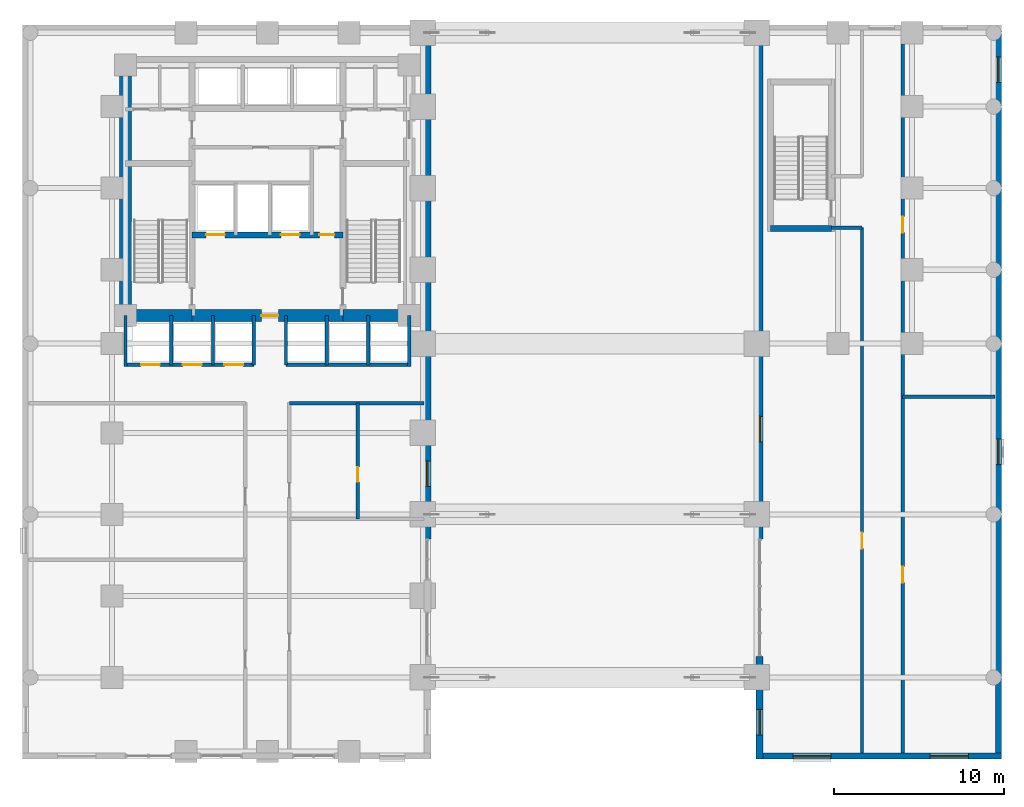
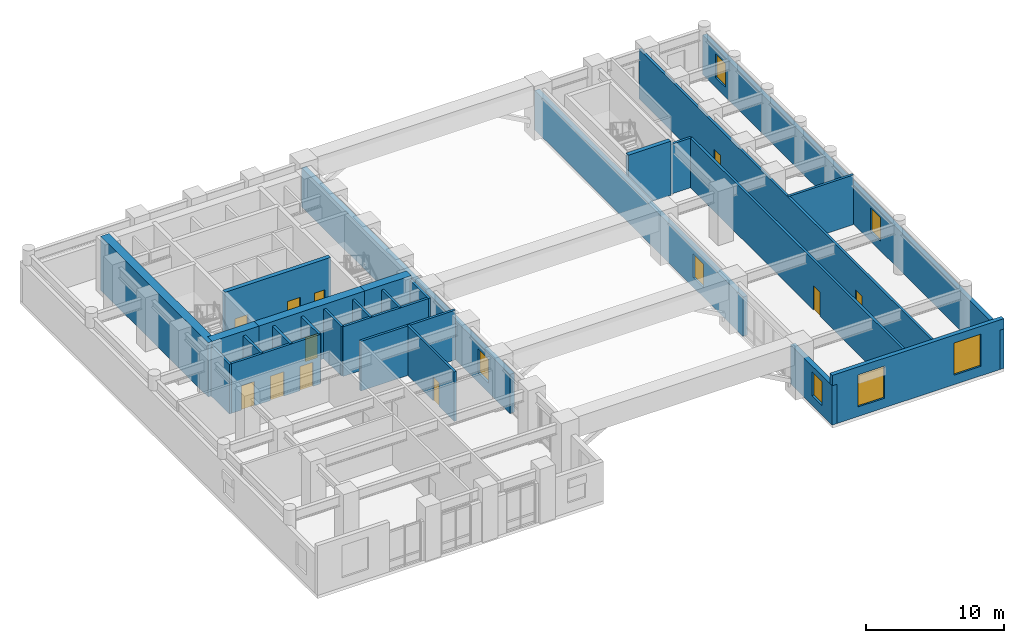
# One storey, part 7 of 12: 27 walls, 11 doors, 7 windows, 18 openings.
"""IFC4 building model written with IfcOpenShell, lengths in metres."""

from ifc_helpers import new_model, si_unit, direction, frame, frame_2d, origin, place, context, subcontext, project, spatial, rectangle, extrude, material, layer, layer_set, type_object, element, fill, save


model = new_model("IFC4")

# Units and contexts
model_context = context("Model", 3, precision=1e-05, world=origin(), true_north=direction((0.0, 1.0)))
body_context = subcontext(model_context, "Body", "Model", "MODEL_VIEW")
ifc_project = project(units=[si_unit("LENGTHUNIT", "METRE"), si_unit("AREAUNIT", "SQUARE_METRE"), si_unit("VOLUMEUNIT", "CUBIC_METRE"), si_unit("PLANEANGLEUNIT", "RADIAN"), si_unit("MASSUNIT", "GRAM", prefix="KILO")], contexts=[model_context])

# Site, building, storey
site_placement = place(None, origin())
site = spatial("IfcSite", under=ifc_project, at=site_placement, CompositionType="ELEMENT")
building_placement = place(site_placement, origin())
building = spatial("IfcBuilding", under=site, at=building_placement, Name="Orvandelia Arch Residences", CompositionType="ELEMENT")
storey_placement = place(building_placement, frame((0.0, 0.0, 10.0)))
storey = spatial("IfcBuildingStorey", under=building, at=storey_placement, Name="L02", CompositionType="ELEMENT", Elevation=10.0)

# Wall, opening, window
ifc_material_1 = material(Name="Precast concrete C40/50", Category="concrete")
ifc_layer_1 = layer(ifc_material_1, 0.39990234375, Name="Precast concrete C40/50", Category="concrete")
ifc_layer_set_1 = layer_set([ifc_layer_1], Name="Precast concrete C40/50")
wall_type_1 = type_object("IfcWallType", Name="WL-ARCH-CHEEK-400", PredefinedType="SOLIDWALL", material=ifc_layer_set_1)
wall_1_placement = place(storey_placement, frame((23.824951171875, 48.0, 0.0), z_axis=(0.0, 0.0, 1.0), x_axis=(0.0, -1.0, 0.0)))
wall_1 = element("IfcWall", 1, at=wall_1_placement, inside=storey, type_object=wall_type_1, Name="Giant Arch Pier Cheek Wall L02-002", PredefinedType="SOLIDWALL", context=body_context, shape_type="SweptSolid", body=[
    extrude(rectangle(XDim=30.239990234375, YDim=0.39990234375, at=frame_2d((15.1201171875, 0.0))), origin(), (0.0, 0.0, 1.0), 3.47998046875),
])
opening_1_placement = place(wall_1_placement, frame((25.64990234375, 0.0, 0.85009765625)))
opening_1 = element("IfcOpeningElement", 2, at=opening_1_placement, cuts=wall_1, Name="Opening W2", PredefinedType="OPENING", context=body_context, shape_type="SweptSolid", body=[
    extrude(rectangle(XDim=1.5, YDim=2.10009765625, at=frame_2d((0.75, 1.050048828125))), frame((0.0, 0.2099609375, 0.0), z_axis=(0.0, -1.0, 0.0), x_axis=(1.0, 0.0, 0.0)), (0.0, 0.0, 1.0), 0.419921875),
])
ifc_material_2 = material(Name="Tempered Low-E Insulated Glazing", Category="glass")
window_type_1 = type_object("IfcWindowType", Name="WIN-RES-1500x2100", PartitioningType="SINGLE_PANEL", PredefinedType="WINDOW", material=ifc_material_2)
window_1_placement = place(opening_1_placement, origin())
window_1 = element("IfcWindow", 3, at=window_1_placement, inside=storey, type_object=window_type_1, Name="Recessed Punched Window L02-001", OverallHeight=2.10009765625, OverallWidth=1.5, PartitioningType="SINGLE_PANEL", PredefinedType="WINDOW", context=body_context, shape_type="SweptSolid", body=[
    extrude(rectangle(XDim=1.5, YDim=2.10009765625, at=frame_2d((0.75, 1.050048828125))), frame((0.0, 0.030029296875, 0.0), z_axis=(0.0, -1.0, 0.0), x_axis=(1.0, 0.0, 0.0)), (0.0, 0.0, 1.0), 0.06005859375),
])
fill(opening_1, window_1)

wall_2_placement = place(storey_placement, frame((43.375, 4.800048828125, 0.0), z_axis=(0.0, 0.0, 1.0), x_axis=(0.0, 1.0, 0.0)))
wall_2 = element("IfcWall", 4, at=wall_2_placement, inside=storey, type_object=wall_type_1, Name="Giant Arch Pier Cheek Wall L02-013", PredefinedType="SOLIDWALL", context=body_context, shape_type="SweptSolid", body=[
    extrude(rectangle(XDim=6.0400390625, YDim=0.39990234375, at=frame_2d((3.02001953125, 0.0))), origin(), (0.0, 0.0, 1.0), 3.47998046875),
])
opening_2_placement = place(wall_2_placement, frame((1.425048828125, 0.0, 0.85009765625)))
opening_2 = element("IfcOpeningElement", 5, at=opening_2_placement, cuts=wall_2, Name="Opening W2", PredefinedType="OPENING", context=body_context, shape_type="SweptSolid", body=[
    extrude(rectangle(XDim=1.5, YDim=2.10009765625, at=frame_2d((0.75, 1.050048828125))), frame((0.0, 0.2099609375, 0.0), z_axis=(0.0, -1.0, 0.0), x_axis=(1.0, 0.0, 0.0)), (0.0, 0.0, 1.0), 0.419921875),
])
window_2_placement = place(opening_2_placement, origin())
window_2 = element("IfcWindow", 6, at=window_2_placement, inside=storey, type_object=window_type_1, Name="Recessed Punched Window L02-013", OverallHeight=2.10009765625, OverallWidth=1.5, PartitioningType="SINGLE_PANEL", PredefinedType="WINDOW", context=body_context, shape_type="SweptSolid", body=[
    extrude(rectangle(XDim=1.5, YDim=2.10009765625, at=frame_2d((0.75, 1.050048828125))), frame((0.0, 0.030029296875, 0.0), z_axis=(0.0, -1.0, 0.0), x_axis=(1.0, 0.0, 0.0)), (0.0, 0.0, 1.0), 0.06005859375),
])
fill(opening_2, window_2)

wall_3_placement = place(storey_placement, frame((43.375, 17.760009765625, 0.0), z_axis=(0.0, 0.0, 1.0), x_axis=(0.0, 1.0, 0.0)))
wall_3 = element("IfcWall", 7, at=wall_3_placement, inside=storey, type_object=wall_type_1, Name="Giant Arch Pier Cheek Wall L02-014", PredefinedType="SOLIDWALL", context=body_context, shape_type="SweptSolid", body=[
    extrude(rectangle(XDim=30.239990234375, YDim=0.39990234375, at=frame_2d((15.1201171875, 0.0))), origin(), (0.0, 0.0, 1.0), 3.47998046875),
])
opening_3_placement = place(wall_3_placement, frame((5.715087890625, 0.0, 0.85009765625)))
opening_3 = element("IfcOpeningElement", 8, at=opening_3_placement, cuts=wall_3, Name="Opening W2", PredefinedType="OPENING", context=body_context, shape_type="SweptSolid", body=[
    extrude(rectangle(XDim=1.5, YDim=2.10009765625, at=frame_2d((0.75, 1.050048828125))), frame((0.0, 0.2099609375, 0.0), z_axis=(0.0, -1.0, 0.0), x_axis=(1.0, 0.0, 0.0)), (0.0, 0.0, 1.0), 0.419921875),
])
window_3_placement = place(opening_3_placement, origin())
window_3 = element("IfcWindow", 9, at=window_3_placement, inside=storey, type_object=window_type_1, Name="Recessed Punched Window L02-014", OverallHeight=2.10009765625, OverallWidth=1.5, PartitioningType="SINGLE_PANEL", PredefinedType="WINDOW", context=body_context, shape_type="SweptSolid", body=[
    extrude(rectangle(XDim=1.5, YDim=2.10009765625, at=frame_2d((0.75, 1.050048828125))), frame((0.0, 0.030029296875, 0.0), z_axis=(0.0, -1.0, 0.0), x_axis=(1.0, 0.0, 0.0)), (0.0, 0.0, 1.0), 0.06005859375),
])
fill(opening_3, window_3)

# Wall, openings, doors
ifc_material_3 = material(Name="Concrete C50/60", Category="concrete")
ifc_layer_2 = layer(ifc_material_3, 0.35009765625, Name="Concrete C50/60", Category="concrete")
ifc_layer_set_2 = layer_set([ifc_layer_2], Name="Concrete C50/60")
wall_type_2 = type_object("IfcWallType", Name="WL-CORE-350", PredefinedType="SHEAR", material=ifc_layer_set_2)
wall_4_placement = place(storey_placement, frame((9.9599609375, 35.64990234375, 0.0), z_axis=(0.0, 0.0, 1.0), x_axis=(1.0, 0.0, 0.0)))
wall_4 = element("IfcWall", 10, at=wall_4_placement, inside=storey, type_object=wall_type_2, Name="Core Shear Wall L02-HZ3", PredefinedType="SHEAR", context=body_context, shape_type="SweptSolid", body=[
    extrude(rectangle(XDim=8.880126953125, YDim=0.35009765625, at=frame_2d((4.43994140625, 0.0))), origin(), (0.0, 0.0, 1.0), 4.800048828125),
])
opening_4_placement = place(wall_4_placement, frame((0.840087890625, 0.0, 0.0)))
opening_4 = element("IfcOpeningElement", 11, at=opening_4_placement, cuts=wall_4, Name="Opening FLD", PredefinedType="OPENING", context=body_context, shape_type="SweptSolid", body=[
    extrude(rectangle(XDim=1.10009765625, YDim=2.14990234375, at=frame_2d((0.550048828125, 1.074951171875))), frame((0.0, 0.18505859375, 0.0), z_axis=(0.0, -1.0, 0.0), x_axis=(1.0, 0.0, 0.0)), (0.0, 0.0, 1.0), 0.3701171875),
])
opening_5_placement = place(wall_4_placement, frame((5.239990234375, 0.0, 0.0)))
opening_5 = element("IfcOpeningElement", 12, at=opening_5_placement, cuts=wall_4, Name="Opening FLD", PredefinedType="OPENING", context=body_context, shape_type="SweptSolid", body=[
    extrude(rectangle(XDim=1.10009765625, YDim=2.14990234375, at=frame_2d((0.550048828125, 1.074951171875))), frame((0.0, 0.18505859375, 0.0), z_axis=(0.0, -1.0, 0.0), x_axis=(1.0, 0.0, 0.0)), (0.0, 0.0, 1.0), 0.3701171875),
])
opening_6_placement = place(wall_4_placement, frame((7.5, 0.0, 0.0)))
opening_6 = element("IfcOpeningElement", 13, at=opening_6_placement, cuts=wall_4, Name="Opening D5", PredefinedType="OPENING", context=body_context, shape_type="SweptSolid", body=[
    extrude(rectangle(XDim=0.8798828125, YDim=2.10009765625, at=frame_2d((0.43994140625, 1.050048828125))), frame((0.0, 0.18505859375, 0.0), z_axis=(0.0, -1.0, 0.0), x_axis=(1.0, 0.0, 0.0)), (0.0, 0.0, 1.0), 0.3701171875),
])
ifc_material_4 = material(Name="Firefighting Lift Stainless Sliding Door")
door_type_1 = type_object("IfcDoorType", Name="DR-FLFT-1100", OperationType="NOTDEFINED", PredefinedType="DOOR", material=ifc_material_4)
door_1_placement = place(opening_4_placement, origin())
door_1 = element("IfcDoor", 14, at=door_1_placement, inside=storey, type_object=door_type_1, Name="Firefighting Lift Landing Door FLD-FL1-L02", OperationType="SLIDING_TO_LEFT", OverallHeight=2.14990234375, OverallWidth=1.10009765625, PredefinedType="DOOR", context=body_context, shape_type="SweptSolid", body=[
    extrude(rectangle(XDim=1.10009765625, YDim=2.14990234375, at=frame_2d((0.550048828125, 1.074951171875))), frame((0.0, 0.02490234375, 0.0), z_axis=(0.0, -1.0, 0.0), x_axis=(1.0, 0.0, 0.0)), (0.0, 0.0, 1.0), 0.050048828125),
])
fill(opening_4, door_1)
door_2_placement = place(opening_5_placement, origin())
door_2 = element("IfcDoor", 15, at=door_2_placement, inside=storey, type_object=door_type_1, Name="Firefighting Lift Landing Door FLD-FL2-L02", OperationType="SLIDING_TO_RIGHT", OverallHeight=2.14990234375, OverallWidth=1.10009765625, PredefinedType="DOOR", context=body_context, shape_type="SweptSolid", body=[
    extrude(rectangle(XDim=1.10009765625, YDim=2.14990234375, at=frame_2d((0.550048828125, 1.074951171875))), frame((0.0, 0.02490234375, 0.0), z_axis=(0.0, -1.0, 0.0), x_axis=(1.0, 0.0, 0.0)), (0.0, 0.0, 1.0), 0.050048828125),
])
fill(opening_5, door_2)
ifc_material_5 = material(Name="Painted Galvanised Steel Service Door", Category="steel")
door_type_2 = type_object("IfcDoorType", Name="DR-SRV-880", OperationType="NOTDEFINED", PredefinedType="DOOR", material=ifc_material_5)
door_3_placement = place(opening_6_placement, origin())
door_3 = element("IfcDoor", 16, at=door_3_placement, inside=storey, type_object=door_type_2, Name="Core Stairway Passage South Fire Door L02", OperationType="SINGLE_SWING_LEFT", OverallHeight=2.10009765625, OverallWidth=0.8798828125, PredefinedType="DOOR", context=body_context, shape_type="SweptSolid", body=[
    extrude(rectangle(XDim=0.8798828125, YDim=2.10009765625, at=frame_2d((0.43994140625, 1.050048828125))), frame((0.0, 0.02490234375, 0.0), z_axis=(0.0, -1.0, 0.0), x_axis=(1.0, 0.0, 0.0)), (0.0, 0.0, 1.0), 0.050048828125),
])
fill(opening_6, door_3)

# Walls
wall_5_placement = place(storey_placement, frame((44.02001953125, 36.0400390625, 0.0), z_axis=(0.0, 0.0, 1.0), x_axis=(1.0, 0.0, 0.0)))
element("IfcWall", 17, at=wall_5_placement, inside=storey, type_object=wall_type_2, Name="East Stair Core Shear Wall L02-S", PredefinedType="SHEAR", context=body_context, shape_type="SweptSolid", body=[
    extrude(rectangle(XDim=3.580078125, YDim=0.35009765625, at=frame_2d((1.7900390625, 0.0))), origin(), (0.0, 0.0, 1.0), 4.800048828125),
])
ifc_material_6 = material(Name="Concrete C80/95", Category="concrete")
ifc_layer_3 = layer(ifc_material_6, 0.699951171875, Name="Concrete C80/95", Category="concrete")
ifc_layer_set_3 = layer_set([ifc_layer_3], Name="Concrete C80/95")
wall_type_3 = type_object("IfcWallType", Name="WL-CORE-700", PredefinedType="SHEAR", material=ifc_layer_set_3)
wall_6_placement = place(storey_placement, frame((6.050048828125, 30.550048828125, 0.0), z_axis=(0.0, 0.0, 1.0), x_axis=(0.0, 1.0, 0.0)))
element("IfcWall", 18, at=wall_6_placement, inside=storey, type_object=wall_type_3, Name="Core Shear Wall L02-W", PredefinedType="SHEAR", context=body_context, shape_type="SweptSolid", body=[
    extrude(rectangle(XDim=15.599853515625, YDim=0.699951171875, at=frame_2d((7.7998046875, 0.0))), origin(), (0.0, 0.0, 1.0), 4.800048828125),
])
wall_7_placement = place(storey_placement, frame((6.050048828125, 30.89990234375, 0.0), z_axis=(0.0, 0.0, 1.0), x_axis=(1.0, 0.0, 0.0)))
element("IfcWall", 19, at=wall_7_placement, inside=storey, type_object=wall_type_3, Name="Core Shear Wall L02-SW", PredefinedType="SHEAR", context=body_context, shape_type="SweptSolid", body=[
    extrude(rectangle(XDim=3.909912109375, YDim=0.699951171875, at=frame_2d((1.955078125, 0.0))), origin(), (0.0, 0.0, 1.0), 4.800048828125),
])

# Wall, opening, door
wall_8_placement = place(storey_placement, frame((9.9599609375, 30.89990234375, 0.0), z_axis=(0.0, 0.0, 1.0), x_axis=(1.0, 0.0, 0.0)))
wall_8 = element("IfcWall", 20, at=wall_8_placement, inside=storey, type_object=wall_type_3, Name="Core Shear Wall L02-SM", PredefinedType="SHEAR", context=body_context, shape_type="SweptSolid", body=[
    extrude(rectangle(XDim=8.880126953125, YDim=0.699951171875, at=frame_2d((4.43994140625, 0.0))), origin(), (0.0, 0.0, 1.0), 4.800048828125),
])
opening_7_placement = place(wall_8_placement, frame((4.090087890625, 0.0, 0.0)))
opening_7 = element("IfcOpeningElement", 21, at=opening_7_placement, cuts=wall_8, Name="Opening D6", PredefinedType="OPENING", context=body_context, shape_type="SweptSolid", body=[
    extrude(rectangle(XDim=1.0, YDim=2.14990234375, at=frame_2d((0.5, 1.074951171875))), frame((0.0, 0.35986328125, 0.0), z_axis=(0.0, -1.0, 0.0), x_axis=(1.0, 0.0, 0.0)), (0.0, 0.0, 1.0), 0.719970703125),
])
ifc_material_7 = material(Name="Smokeproof Painted Steel Fire Door", Category="steel")
door_type_3 = type_object("IfcDoorType", Name="DR-FD60-1000", OperationType="NOTDEFINED", PredefinedType="DOOR", material=ifc_material_7)
door_4_placement = place(opening_7_placement, origin())
door_4 = element("IfcDoor", 22, at=door_4_placement, inside=storey, type_object=door_type_3, Name="Firefighting Lobby Smokeproof Door L02", OperationType="SINGLE_SWING_LEFT", OverallHeight=2.14990234375, OverallWidth=1.0, PredefinedType="DOOR", context=body_context, shape_type="SweptSolid", body=[
    extrude(rectangle(XDim=1.0, YDim=2.14990234375, at=frame_2d((0.5, 1.074951171875))), frame((0.0, 0.02490234375, 0.0), z_axis=(0.0, -1.0, 0.0), x_axis=(1.0, 0.0, 0.0)), (0.0, 0.0, 1.0), 0.050048828125),
])
fill(opening_7, door_4)

# Walls
wall_9_placement = place(storey_placement, frame((18.840087890625, 30.89990234375, 0.0), z_axis=(0.0, 0.0, 1.0), x_axis=(1.0, 0.0, 0.0)))
element("IfcWall", 23, at=wall_9_placement, inside=storey, type_object=wall_type_3, Name="Core Shear Wall L02-SE", PredefinedType="SHEAR", context=body_context, shape_type="SweptSolid", body=[
    extrude(rectangle(XDim=3.909912109375, YDim=0.699951171875, at=frame_2d((1.955078125, 0.0))), origin(), (0.0, 0.0, 1.0), 4.800048828125),
])
ifc_material_8 = material(Name="Fire-Rated Corridor Partition")
ifc_layer_4 = layer(ifc_material_8, 0.199951171875, Name="Fire-Rated Corridor Partition")
ifc_layer_set_4 = layer_set([ifc_layer_4], Name="Fire-Rated Corridor Partition")
wall_type_4 = type_object("IfcWallType", Name="WL-CORR-200", PredefinedType="PARTITIONING", material=ifc_layer_set_4)
wall_10_placement = place(storey_placement, frame((15.699951171875, 25.75, 0.0), z_axis=(0.0, 0.0, 1.0), x_axis=(1.0, 0.0, 0.0)))
element("IfcWall", 24, at=wall_10_placement, inside=storey, type_object=wall_type_4, Name="Interior Partition Wall WL-L02-PW-CLS2", PredefinedType="PARTITIONING", context=body_context, shape_type="SweptSolid", body=[
    extrude(rectangle(XDim=7.920166015625, YDim=0.199951171875, at=frame_2d((3.9599609375, 0.0))), origin(), (0.0, 0.0, 1.0), 4.39990234375),
])

# Wall, opening, door
wall_11_placement = place(storey_placement, frame((49.39990234375, 5.159912109375, 0.0), z_axis=(0.0, 0.0, 1.0), x_axis=(0.0, 1.0, 0.0)))
wall_11 = element("IfcWall", 25, at=wall_11_placement, inside=storey, type_object=wall_type_4, Name="Interior Partition Wall WL-L02-PE-W1", PredefinedType="PARTITIONING", context=body_context, shape_type="SweptSolid", body=[
    extrude(rectangle(XDim=30.920166015625, YDim=0.199951171875, at=frame_2d((15.4599609375, 0.0))), origin(), (0.0, 0.0, 1.0), 4.39990234375),
])
opening_8_placement = place(wall_11_placement, frame((12.02001953125, 0.0, 0.0)))
opening_8 = element("IfcOpeningElement", 26, at=opening_8_placement, cuts=wall_11, Name="Opening D2", PredefinedType="OPENING", context=body_context, shape_type="SweptSolid", body=[
    extrude(rectangle(XDim=0.949951171875, YDim=2.14990234375, at=frame_2d((0.47509765625, 1.074951171875))), frame((0.0, 0.10986328125, 0.0), z_axis=(0.0, -1.0, 0.0), x_axis=(1.0, 0.0, 0.0)), (0.0, 0.0, 1.0), 0.219970703125),
])
ifc_material_9 = material(Name="Solid-Core Timber Interior Fire Door", Category="wood")
door_type_4 = type_object("IfcDoorType", Name="DR-APT-950", OperationType="NOTDEFINED", PredefinedType="DOOR", material=ifc_material_9)
door_5_placement = place(opening_8_placement, origin())
door_5 = element("IfcDoor", 27, at=door_5_placement, inside=storey, type_object=door_type_4, Name="DR-L02-PEW", OperationType="SINGLE_SWING_RIGHT", OverallHeight=2.14990234375, OverallWidth=0.949951171875, PredefinedType="DOOR", context=body_context, shape_type="SweptSolid", body=[
    extrude(rectangle(XDim=0.949951171875, YDim=2.14990234375, at=frame_2d((0.47509765625, 1.074951171875))), frame((0.0, 0.02490234375, 0.0), z_axis=(0.0, -1.0, 0.0), x_axis=(1.0, 0.0, 0.0)), (0.0, 0.0, 1.0), 0.050048828125),
])
fill(opening_8, door_5)

# Wall
wall_12_placement = place(storey_placement, frame((47.60009765625, 36.080078125, 0.0), z_axis=(0.0, 0.0, 1.0), x_axis=(1.0, 0.0, 0.0)))
element("IfcWall", 28, at=wall_12_placement, inside=storey, type_object=wall_type_4, Name="Interior Partition Wall WL-L02-PE-VS", PredefinedType="PARTITIONING", context=body_context, shape_type="SweptSolid", body=[
    extrude(rectangle(XDim=1.7998046875, YDim=0.199951171875, at=frame_2d((0.89990234375, 0.0))), origin(), (0.0, 0.0, 1.0), 4.39990234375),
])

# Wall, openings, doors
wall_13_placement = place(storey_placement, frame((51.800048828125, 5.159912109375, 0.0), z_axis=(0.0, 0.0, 1.0), x_axis=(0.0, 1.0, 0.0)))
wall_13 = element("IfcWall", 29, at=wall_13_placement, inside=storey, type_object=wall_type_4, Name="Interior Partition Wall WL-L02-PE-E", PredefinedType="PARTITIONING", context=body_context, shape_type="SweptSolid", body=[
    extrude(rectangle(XDim=42.47998046875, YDim=0.199951171875, at=frame_2d((21.239990234375, 0.0))), origin(), (0.0, 0.0, 1.0), 4.39990234375),
])
opening_9_placement = place(wall_13_placement, frame((10.02001953125, 0.0, 0.0)))
opening_9 = element("IfcOpeningElement", 30, at=opening_9_placement, cuts=wall_13, Name="Opening D2", PredefinedType="OPENING", context=body_context, shape_type="SweptSolid", body=[
    extrude(rectangle(XDim=0.949951171875, YDim=2.14990234375, at=frame_2d((0.47509765625, 1.074951171875))), frame((0.0, 0.10986328125, 0.0), z_axis=(0.0, -1.0, 0.0), x_axis=(1.0, 0.0, 0.0)), (0.0, 0.0, 1.0), 0.219970703125),
])
opening_10_placement = place(wall_13_placement, frame((30.6201171875, 0.0, 0.0)))
opening_10 = element("IfcOpeningElement", 31, at=opening_10_placement, cuts=wall_13, Name="Opening D2", PredefinedType="OPENING", context=body_context, shape_type="SweptSolid", body=[
    extrude(rectangle(XDim=0.949951171875, YDim=2.14990234375, at=frame_2d((0.47509765625, 1.074951171875))), frame((0.0, 0.10986328125, 0.0), z_axis=(0.0, -1.0, 0.0), x_axis=(1.0, 0.0, 0.0)), (0.0, 0.0, 1.0), 0.219970703125),
])
door_6_placement = place(opening_9_placement, origin())
door_6 = element("IfcDoor", 32, at=door_6_placement, inside=storey, type_object=door_type_4, Name="DR-L02-PE1", OperationType="SINGLE_SWING_LEFT", OverallHeight=2.14990234375, OverallWidth=0.949951171875, PredefinedType="DOOR", context=body_context, shape_type="SweptSolid", body=[
    extrude(rectangle(XDim=0.949951171875, YDim=2.14990234375, at=frame_2d((0.47509765625, 1.074951171875))), frame((0.0, 0.02490234375, 0.0), z_axis=(0.0, -1.0, 0.0), x_axis=(1.0, 0.0, 0.0)), (0.0, 0.0, 1.0), 0.050048828125),
])
fill(opening_9, door_6)
door_7_placement = place(opening_10_placement, origin())
door_7 = element("IfcDoor", 33, at=door_7_placement, inside=storey, type_object=door_type_4, Name="DR-L02-PE2", OperationType="SINGLE_SWING_RIGHT", OverallHeight=2.14990234375, OverallWidth=0.949951171875, PredefinedType="DOOR", context=body_context, shape_type="SweptSolid", body=[
    extrude(rectangle(XDim=0.949951171875, YDim=2.14990234375, at=frame_2d((0.47509765625, 1.074951171875))), frame((0.0, 0.02490234375, 0.0), z_axis=(0.0, -1.0, 0.0), x_axis=(1.0, 0.0, 0.0)), (0.0, 0.0, 1.0), 0.050048828125),
])
fill(opening_10, door_7)

# Wall
ifc_material_10 = material(Name="Concrete C40/50", Category="concrete")
ifc_layer_5 = layer(ifc_material_10, 0.199951171875, Name="Concrete C40/50", Category="concrete")
ifc_layer_set_5 = layer_set([ifc_layer_5], Name="Concrete C40/50")
wall_type_5 = type_object("IfcWallType", Name="WL-DEM-200", PredefinedType="SOLIDWALL", material=ifc_layer_set_5)
wall_14_placement = place(storey_placement, frame((51.800048828125, 26.1201171875, 0.0), z_axis=(0.0, 0.0, 1.0), x_axis=(1.0, 0.0, 0.0)))
element("IfcWall", 34, at=wall_14_placement, inside=storey, type_object=wall_type_5, Name="Interior Partition Wall WL-L02-PE-M", PredefinedType="SOLIDWALL", context=body_context, shape_type="SweptSolid", body=[
    extrude(rectangle(XDim=5.43994140625, YDim=0.199951171875, at=frame_2d((2.719970703125, 0.0))), origin(), (0.0, 0.0, 1.0), 4.39990234375),
])

# Wall, openings, windows
ifc_layer_6 = layer(ifc_material_1, 0.35009765625, Name="Precast concrete C40/50", Category="concrete")
ifc_layer_set_6 = layer_set([ifc_layer_6], Name="Precast concrete C40/50")
wall_type_6 = type_object("IfcWallType", Name="WL-EXT-POD-350", PredefinedType="STANDARD", material=ifc_layer_set_6)
wall_15_placement = place(storey_placement, frame((57.425048828125, 48.0, 0.0), z_axis=(0.0, 0.0, 1.0), x_axis=(0.0, -1.0, 0.0)))
wall_15 = element("IfcWall", 35, at=wall_15_placement, inside=storey, type_object=wall_type_6, Name="Coral-Limestone Precast Facade Wall L02-011", PredefinedType="STANDARD", context=body_context, shape_type="SweptSolid", body=[
    extrude(rectangle(XDim=43.199951171875, YDim=0.35009765625, at=frame_2d((21.60009765625, 0.0))), origin(), (0.0, 0.0, 1.0), 3.47998046875),
])
opening_11_placement = place(wall_15_placement, frame((24.375, 0.0, 0.85009765625)))
opening_11 = element("IfcOpeningElement", 36, at=opening_11_placement, cuts=wall_15, Name="Opening W2", PredefinedType="OPENING", context=body_context, shape_type="SweptSolid", body=[
    extrude(rectangle(XDim=1.5, YDim=2.10009765625, at=frame_2d((0.75, 1.050048828125))), frame((0.0, 0.18505859375, 0.0), z_axis=(0.0, -1.0, 0.0), x_axis=(1.0, 0.0, 0.0)), (0.0, 0.0, 1.0), 0.3701171875),
])
opening_12_placement = place(wall_15_placement, frame((1.875, 0.0, 0.85009765625)))
opening_12 = element("IfcOpeningElement", 37, at=opening_12_placement, cuts=wall_15, Name="Opening W2", PredefinedType="OPENING", context=body_context, shape_type="SweptSolid", body=[
    extrude(rectangle(XDim=1.5, YDim=2.10009765625, at=frame_2d((0.75, 1.050048828125))), frame((0.0, 0.18505859375, 0.0), z_axis=(0.0, -1.0, 0.0), x_axis=(1.0, 0.0, 0.0)), (0.0, 0.0, 1.0), 0.3701171875),
])
window_4_placement = place(opening_11_placement, origin())
window_4 = element("IfcWindow", 38, at=window_4_placement, inside=storey, type_object=window_type_1, Name="Recessed Punched Window L02-009", OverallHeight=2.10009765625, OverallWidth=1.5, PartitioningType="SINGLE_PANEL", PredefinedType="WINDOW", context=body_context, shape_type="SweptSolid", body=[
    extrude(rectangle(XDim=1.5, YDim=2.10009765625, at=frame_2d((0.75, 1.050048828125))), frame((0.0, 0.030029296875, 0.0), z_axis=(0.0, -1.0, 0.0), x_axis=(1.0, 0.0, 0.0)), (0.0, 0.0, 1.0), 0.06005859375),
])
fill(opening_11, window_4)
window_5_placement = place(opening_12_placement, origin())
window_5 = element("IfcWindow", 39, at=window_5_placement, inside=storey, type_object=window_type_1, Name="Recessed Punched Window L02-010", OverallHeight=2.10009765625, OverallWidth=1.5, PartitioningType="SINGLE_PANEL", PredefinedType="WINDOW", context=body_context, shape_type="SweptSolid", body=[
    extrude(rectangle(XDim=1.5, YDim=2.10009765625, at=frame_2d((0.75, 1.050048828125))), frame((0.0, 0.030029296875, 0.0), z_axis=(0.0, -1.0, 0.0), x_axis=(1.0, 0.0, 0.0)), (0.0, 0.0, 1.0), 0.06005859375),
])
fill(opening_12, window_5)

wall_16_placement = place(storey_placement, frame((57.60009765625, 4.97509765625, 0.0), z_axis=(0.0, 0.0, 1.0), x_axis=(-1.0, 0.0, 0.0)))
wall_16 = element("IfcWall", 40, at=wall_16_placement, inside=storey, type_object=wall_type_6, Name="Coral-Limestone Precast Facade Wall L02-012", PredefinedType="STANDARD", context=body_context, shape_type="SweptSolid", body=[
    extrude(rectangle(XDim=14.400146484375, YDim=0.35009765625, at=frame_2d((7.2001953125, 0.0))), origin(), (0.0, 0.0, 1.0), 4.39990234375),
])
opening_13_placement = place(wall_16_placement, frame((1.93994140625, 0.0, 0.85009765625)))
opening_13 = element("IfcOpeningElement", 41, at=opening_13_placement, cuts=wall_16, Name="Opening W13", PredefinedType="OPENING", context=body_context, shape_type="SweptSolid", body=[
    extrude(rectangle(XDim=2.25, YDim=2.85009765625, at=frame_2d((1.125, 1.425048828125))), frame((0.0, 0.18505859375, 0.0), z_axis=(0.0, -1.0, 0.0), x_axis=(1.0, 0.0, 0.0)), (0.0, 0.0, 1.0), 0.3701171875),
])
opening_14_placement = place(wall_16_placement, frame((10.010009765625, 0.0, 0.85009765625)))
opening_14 = element("IfcOpeningElement", 42, at=opening_14_placement, cuts=wall_16, Name="Opening W13", PredefinedType="OPENING", context=body_context, shape_type="SweptSolid", body=[
    extrude(rectangle(XDim=2.25, YDim=2.85009765625, at=frame_2d((1.125, 1.425048828125))), frame((0.0, 0.18505859375, 0.0), z_axis=(0.0, -1.0, 0.0), x_axis=(1.0, 0.0, 0.0)), (0.0, 0.0, 1.0), 0.3701171875),
])
ifc_material_11 = material(Name="Laminated Acoustic Double Glazing", Category="glass")
window_type_2 = type_object("IfcWindowType", Name="WIN-GAL-2250x2850", PartitioningType="SINGLE_PANEL", PredefinedType="WINDOW", material=ifc_material_11)
window_6_placement = place(opening_13_placement, origin())
window_6 = element("IfcWindow", 43, at=window_6_placement, inside=storey, type_object=window_type_2, Name="Recessed Punched Window L02-011", OverallHeight=2.85009765625, OverallWidth=2.25, PartitioningType="SINGLE_PANEL", PredefinedType="WINDOW", context=body_context, shape_type="SweptSolid", body=[
    extrude(rectangle(XDim=2.25, YDim=2.85009765625, at=frame_2d((1.125, 1.425048828125))), frame((0.0, 0.030029296875, 0.0), z_axis=(0.0, -1.0, 0.0), x_axis=(1.0, 0.0, 0.0)), (0.0, 0.0, 1.0), 0.06005859375),
])
fill(opening_13, window_6)
window_7_placement = place(opening_14_placement, origin())
window_7 = element("IfcWindow", 44, at=window_7_placement, inside=storey, type_object=window_type_2, Name="Recessed Punched Window L02-012", OverallHeight=2.85009765625, OverallWidth=2.25, PartitioningType="SINGLE_PANEL", PredefinedType="WINDOW", context=body_context, shape_type="SweptSolid", body=[
    extrude(rectangle(XDim=2.25, YDim=2.85009765625, at=frame_2d((1.125, 1.425048828125))), frame((0.0, 0.030029296875, 0.0), z_axis=(0.0, -1.0, 0.0), x_axis=(1.0, 0.0, 0.0)), (0.0, 0.0, 1.0), 0.06005859375),
])
fill(opening_14, window_7)

# Wall, openings, doors
ifc_material_12 = material(Name="Fire-Rated Shaft Enclosure Wall")
ifc_layer_7 = layer(ifc_material_12, 0.199951171875, Name="Fire-Rated Shaft Enclosure Wall")
ifc_layer_set_7 = layer_set([ifc_layer_7], Name="Fire-Rated Shaft Enclosure Wall")
wall_type_7 = type_object("IfcWallType", Name="WL-SHAFT-200", PredefinedType="POLYGONAL", material=ifc_layer_set_7)
wall_17_placement = place(storey_placement, frame((6.050048828125, 28.0, 0.0), z_axis=(0.0, 0.0, 1.0), x_axis=(1.0, 0.0, 0.0)))
wall_17 = element("IfcWall", 45, at=wall_17_placement, inside=storey, type_object=wall_type_7, Name="Interior Partition Wall WL-L02-BNKL-S", PredefinedType="POLYGONAL", context=body_context, shape_type="SweptSolid", body=[
    extrude(rectangle(XDim=7.550048828125, YDim=0.199951171875, at=frame_2d((3.77490234375, 0.0))), origin(), (0.0, 0.0, 1.0), 4.39990234375),
])
opening_15_placement = place(wall_17_placement, frame((0.925048828125, 0.0, 0.0)))
opening_15 = element("IfcOpeningElement", 46, at=opening_15_placement, cuts=wall_17, Name="Opening LD", PredefinedType="OPENING", context=body_context, shape_type="SweptSolid", body=[
    extrude(rectangle(XDim=1.10009765625, YDim=2.14990234375, at=frame_2d((0.550048828125, 1.074951171875))), frame((0.0, 0.10986328125, 0.0), z_axis=(0.0, -1.0, 0.0), x_axis=(1.0, 0.0, 0.0)), (0.0, 0.0, 1.0), 0.219970703125),
])
opening_16_placement = place(wall_17_placement, frame((3.375, 0.0, 0.0)))
opening_16 = element("IfcOpeningElement", 47, at=opening_16_placement, cuts=wall_17, Name="Opening LD", PredefinedType="OPENING", context=body_context, shape_type="SweptSolid", body=[
    extrude(rectangle(XDim=1.10009765625, YDim=2.14990234375, at=frame_2d((0.550048828125, 1.074951171875))), frame((0.0, 0.10986328125, 0.0), z_axis=(0.0, -1.0, 0.0), x_axis=(1.0, 0.0, 0.0)), (0.0, 0.0, 1.0), 0.219970703125),
])
opening_17_placement = place(wall_17_placement, frame((5.824951171875, 0.0, 0.0)))
opening_17 = element("IfcOpeningElement", 48, at=opening_17_placement, cuts=wall_17, Name="Opening LD", PredefinedType="OPENING", context=body_context, shape_type="SweptSolid", body=[
    extrude(rectangle(XDim=1.10009765625, YDim=2.14990234375, at=frame_2d((0.550048828125, 1.074951171875))), frame((0.0, 0.10986328125, 0.0), z_axis=(0.0, -1.0, 0.0), x_axis=(1.0, 0.0, 0.0)), (0.0, 0.0, 1.0), 0.219970703125),
])
ifc_material_13 = material(Name="Brushed Stainless Steel Sliding Lift Door", Category="steel")
door_type_5 = type_object("IfcDoorType", Name="DR-LIFT-1100", OperationType="NOTDEFINED", PredefinedType="DOOR", material=ifc_material_13)
door_8_placement = place(opening_15_placement, origin())
door_8 = element("IfcDoor", 49, at=door_8_placement, inside=storey, type_object=door_type_5, Name="Lift Landing Door LD-PL1", OperationType="SLIDING_TO_LEFT", OverallHeight=2.14990234375, OverallWidth=1.10009765625, PredefinedType="DOOR", context=body_context, shape_type="SweptSolid", body=[
    extrude(rectangle(XDim=1.10009765625, YDim=2.14990234375, at=frame_2d((0.550048828125, 1.074951171875))), frame((0.0, 0.02490234375, 0.0), z_axis=(0.0, -1.0, 0.0), x_axis=(1.0, 0.0, 0.0)), (0.0, 0.0, 1.0), 0.050048828125),
])
fill(opening_15, door_8)
door_9_placement = place(opening_16_placement, origin())
door_9 = element("IfcDoor", 50, at=door_9_placement, inside=storey, type_object=door_type_5, Name="Lift Landing Door LD-PL2", OperationType="SLIDING_TO_RIGHT", OverallHeight=2.14990234375, OverallWidth=1.10009765625, PredefinedType="DOOR", context=body_context, shape_type="SweptSolid", body=[
    extrude(rectangle(XDim=1.10009765625, YDim=2.14990234375, at=frame_2d((0.550048828125, 1.074951171875))), frame((0.0, 0.02490234375, 0.0), z_axis=(0.0, -1.0, 0.0), x_axis=(1.0, 0.0, 0.0)), (0.0, 0.0, 1.0), 0.050048828125),
])
fill(opening_16, door_9)
door_10_placement = place(opening_17_placement, origin())
door_10 = element("IfcDoor", 51, at=door_10_placement, inside=storey, type_object=door_type_5, Name="Lift Landing Door LD-PL3", OperationType="SLIDING_TO_LEFT", OverallHeight=2.14990234375, OverallWidth=1.10009765625, PredefinedType="DOOR", context=body_context, shape_type="SweptSolid", body=[
    extrude(rectangle(XDim=1.10009765625, YDim=2.14990234375, at=frame_2d((0.550048828125, 1.074951171875))), frame((0.0, 0.02490234375, 0.0), z_axis=(0.0, -1.0, 0.0), x_axis=(1.0, 0.0, 0.0)), (0.0, 0.0, 1.0), 0.050048828125),
])
fill(opening_17, door_10)

# Walls
wall_18_placement = place(storey_placement, frame((15.5, 28.0, 0.0), z_axis=(0.0, 0.0, 1.0), x_axis=(1.0, 0.0, 0.0)))
element("IfcWall", 52, at=wall_18_placement, inside=storey, type_object=wall_type_7, Name="Interior Partition Wall WL-L02-BNKM-S", PredefinedType="POLYGONAL", context=body_context, shape_type="SweptSolid", body=[
    extrude(rectangle(XDim=7.25, YDim=0.199951171875, at=frame_2d((3.625, 0.0))), origin(), (0.0, 0.0, 1.0), 4.39990234375),
])
for number, where, z_axis, x_axis, name in (
    (53, (6.050048828125, 27.89990234375, 0.0), (0.0, 0.0, 1.0), (0.0, 1.0, 0.0), "Interior Partition Wall WL-L02-BNKL-W"),
    (54, (22.75, 27.89990234375, 0.0), (0.0, 0.0, 1.0), (0.0, 1.0, 0.0), "Interior Partition Wall WL-L02-BNKM-E"),
):
    element("IfcWall", number, at=place(storey_placement, frame(where, z_axis=z_axis, x_axis=x_axis)), inside=storey, type_object=wall_type_7, Name=name, PredefinedType="POLYGONAL", context=body_context, shape_type="SweptSolid", body=[
        extrude(rectangle(XDim=3.0, YDim=0.199951171875, at=frame_2d((1.5, 0.0))), origin(), (0.0, 0.0, 1.0), 4.39990234375),
    ])
for number, where, z_axis, x_axis, name in (
    (55, (13.60009765625, 28.0, 0.0), (0.0, 0.0, 1.0), (0.0, 1.0, 0.0), "Interior Partition Wall WL-L02-BNKL-E"),
    (56, (15.5, 28.0, 0.0), (0.0, 0.0, 1.0), (0.0, 1.0, 0.0), "Interior Partition Wall WL-L02-BNKM-W"),
    (57, (8.75, 28.0, 0.0), (0.0, 0.0, 1.0), (0.0, 1.0, 0.0), "Interior Partition Wall WL-L02-BNKD-875"),
    (58, (11.199951171875, 28.0, 0.0), (0.0, 0.0, 1.0), (0.0, 1.0, 0.0), "Interior Partition Wall WL-L02-BNKD-1120"),
    (59, (17.89990234375, 28.0, 0.0), (0.0, 0.0, 1.0), (0.0, 1.0, 0.0), "Interior Partition Wall WL-L02-BNKD-1789"),
    (60, (20.35009765625, 28.0, 0.0), (0.0, 0.0, 1.0), (0.0, 1.0, 0.0), "Interior Partition Wall WL-L02-BNKD-2035"),
):
    element("IfcWall", number, at=place(storey_placement, frame(where, z_axis=z_axis, x_axis=x_axis)), inside=storey, type_object=wall_type_7, Name=name, PredefinedType="POLYGONAL", context=body_context, shape_type="SweptSolid", body=[
        extrude(rectangle(XDim=2.89990234375, YDim=0.199951171875, at=frame_2d((1.449951171875, 0.0))), origin(), (0.0, 0.0, 1.0), 4.39990234375),
    ])

# Wall, opening, door
ifc_material_14 = material(Name="Moisture-Resistant Plumbing Wall")
ifc_layer_8 = layer(ifc_material_14, 0.179931640625, Name="Moisture-Resistant Plumbing Wall")
ifc_layer_set_8 = layer_set([ifc_layer_8], Name="Moisture-Resistant Plumbing Wall")
wall_type_8 = type_object("IfcWallType", Name="WL-WET-180", PredefinedType="PLUMBINGWALL", material=ifc_layer_set_8)
wall_19_placement = place(storey_placement, frame((19.719970703125, 18.919921875, 0.0), z_axis=(0.0, 0.0, 1.0), x_axis=(0.0, 1.0, 0.0)))
wall_19 = element("IfcWall", 61, at=wall_19_placement, inside=storey, type_object=wall_type_8, Name="Interior Partition Wall WL-L02-PW-D3", PredefinedType="PLUMBINGWALL", context=body_context, shape_type="SweptSolid", body=[
    extrude(rectangle(XDim=6.830078125, YDim=0.179931640625, at=frame_2d((3.4150390625, 0.0))), origin(), (0.0, 0.0, 1.0), 4.39990234375),
])
opening_18_placement = place(wall_19_placement, frame((2.199951171875, 0.0, 0.0)))
opening_18 = element("IfcOpeningElement", 62, at=opening_18_placement, cuts=wall_19, Name="Opening D4", PredefinedType="OPENING", context=body_context, shape_type="SweptSolid", body=[
    extrude(rectangle(XDim=0.860107421875, YDim=2.10009765625, at=frame_2d((0.43017578125, 1.050048828125))), frame((0.0, 0.10009765625, 0.0), z_axis=(0.0, -1.0, 0.0), x_axis=(1.0, 0.0, 0.0)), (0.0, 0.0, 1.0), 0.199951171875),
])
ifc_material_15 = material(Name="Moisture-Sealed Timber Bathroom Door", Category="wood")
door_type_6 = type_object("IfcDoorType", Name="DR-WET-900", OperationType="NOTDEFINED", PredefinedType="DOOR", material=ifc_material_15)
door_11_placement = place(opening_18_placement, origin())
door_11 = element("IfcDoor", 63, at=door_11_placement, inside=storey, type_object=door_type_6, Name="DR-L02-WCA", OperationType="SINGLE_SWING_RIGHT", OverallHeight=2.10009765625, OverallWidth=0.860107421875, PredefinedType="DOOR", context=body_context, shape_type="SweptSolid", body=[
    extrude(rectangle(XDim=0.860107421875, YDim=2.10009765625, at=frame_2d((0.43017578125, 1.050048828125))), frame((0.0, 0.02490234375, 0.0), z_axis=(0.0, -1.0, 0.0), x_axis=(1.0, 0.0, 0.0)), (0.0, 0.0, 1.0), 0.050048828125),
])
fill(opening_18, door_11)

save(model, "model.ifc")
